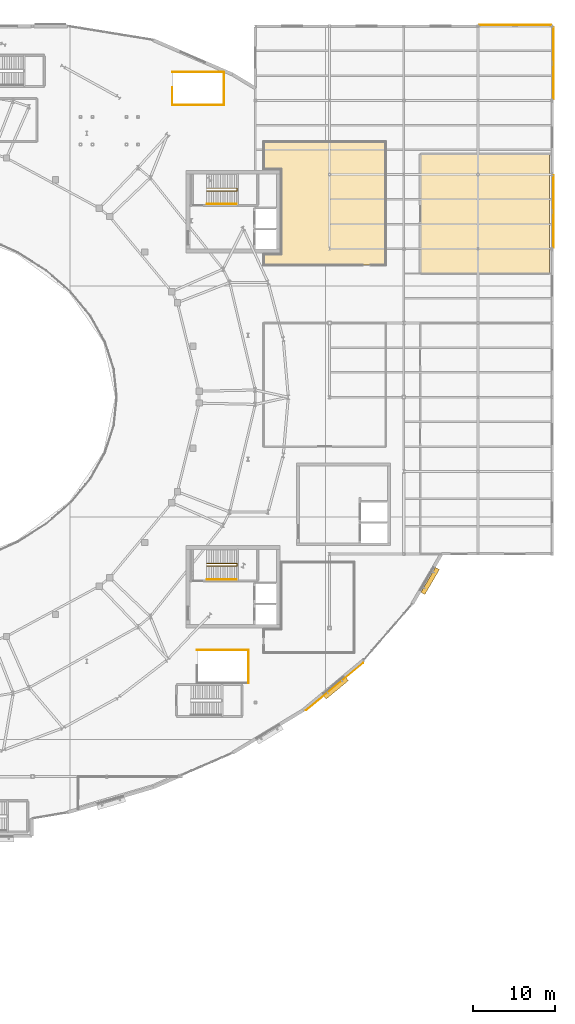
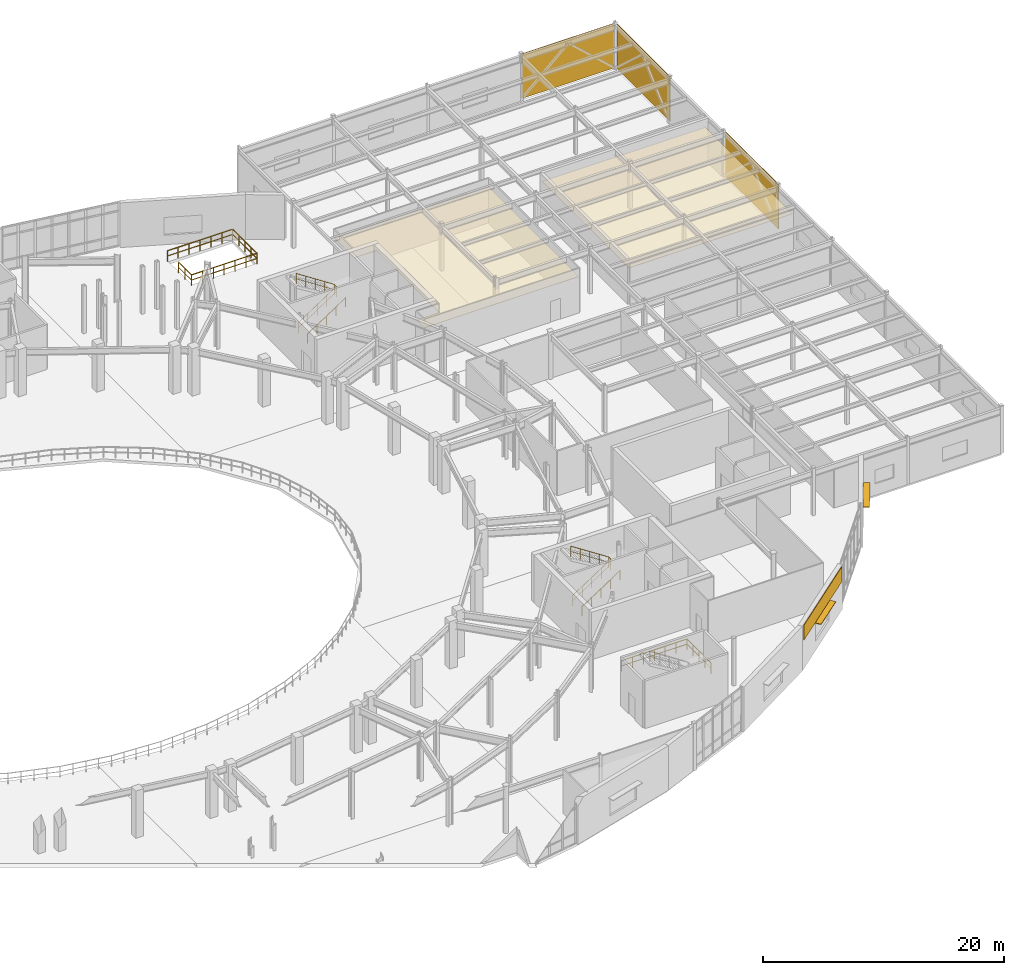
# One storey, part 86 of 86: 10 railings, 6 coverings, 2 shading devices.
"""IFC4 building model written with IfcOpenShell, lengths in metres."""

from ifc_helpers import new_model, si_unit, direction, frame, origin, origin_2d, place, context, subcontext, project, spatial, polyline, rectangle, circle, outline, extrude, material, layer, layer_set, type_object, element, save


model = new_model("IFC4")

# Units and contexts
model_context = context("Model", 3, precision=1e-05, world=origin(), true_north=direction((0.0, 1.0)))
body_context = subcontext(model_context, "Body", "Model", "MODEL_VIEW")
ifc_project = project(units=[si_unit("LENGTHUNIT", "METRE"), si_unit("AREAUNIT", "SQUARE_METRE"), si_unit("VOLUMEUNIT", "CUBIC_METRE"), si_unit("PLANEANGLEUNIT", "RADIAN"), si_unit("MASSUNIT", "GRAM", prefix="KILO")], contexts=[model_context])

# Site, building, storey
site_placement = place(None, origin())
site = spatial("IfcSite", under=ifc_project, at=site_placement, CompositionType="ELEMENT")
building_placement = place(site_placement, origin())
building = spatial("IfcBuilding", under=site, at=building_placement, Name="Glasvene Arena", CompositionType="ELEMENT")
storey_placement = place(building_placement, frame((0.0, 0.0, 5.39990234375)))
storey = spatial("IfcBuildingStorey", under=building, at=storey_placement, Name="L01", CompositionType="ELEMENT", Elevation=5.39990234375)

# Coverings
ifc_material_1 = material(Name="Perforated acoustic mineral ceiling tile")
ifc_layer_1 = layer(ifc_material_1, 0.0400390625)
ifc_layer_set_1 = layer_set([ifc_layer_1], Name="Perforated acoustic mineral ceiling tile")
covering_type_1 = type_object("IfcCoveringType", Name="COV-CEIL-AC", PredefinedType="CEILING", material=ifc_layer_set_1)
covering_1_placement = place(storey_placement, frame((142.677978515625, 95.393798828125, 3.580078125)))
element("IfcCovering", 1, at=covering_1_placement, inside=storey, type_object=covering_type_1, Name="Acoustic suspended ceiling Touring Production Offices", PredefinedType="CEILING", context=body_context, shape_type="SweptSolid", body=[
    extrude(outline(polyline([(-3.657958984375, 8.586181640625), (11.10205078125, 8.586181640625), (11.10205078125, -6.373779296875), (-3.657958984375, -6.373779296875), (-3.657958984375, -5.063720703125), (-1.528076171875, -5.063720703125), (-1.513916015625, -5.057861328125), (-1.508056640625, -5.043701171875), (-1.508056640625, 5.256103515625), (-1.515380859375, 5.271728515625), (-3.657958984375, 5.276123046875), (-3.657958984375, 8.586181640625)])), origin(), (0.0, 0.0, 1.0), 0.0400390625),
])
covering_2_placement = place(storey_placement, frame((165.840087890625, 95.25, 3.580078125)))
element("IfcCovering", 2, at=covering_2_placement, inside=storey, type_object=covering_type_1, Name="Acoustic suspended ceiling Broadcast Cabling Patch Room", PredefinedType="CEILING", context=body_context, shape_type="SweptSolid", body=[
    extrude(outline(polyline([(-7.820068359375, -7.22998046875), (-7.820068359375, 7.22998046875), (7.81982421875, 7.22998046875), (7.81982421875, -7.22998046875), (-7.820068359375, -7.22998046875)])), origin(), (0.0, 0.0, 1.0), 0.0400390625),
])
ifc_material_2 = material(Name="Coursed pale Irish limestone", Category="masonry")
ifc_layer_2 = layer(ifc_material_2, 0.050048828125)
ifc_layer_set_2 = layer_set([ifc_layer_2], Name="Coursed pale Irish limestone")
covering_type_2 = type_object("IfcCoveringType", Name="COV-CLAD-LIM", PredefinedType="CLADDING", material=ifc_layer_set_2)
covering_3_placement = place(storey_placement, frame((169.510986328125, 118.139892578125, 0.0), z_axis=(0.0, 0.0, 1.0), x_axis=(1.0, 0.0, 0.0)))
element("IfcCovering", 3, at=covering_3_placement, inside=storey, type_object=covering_type_2, Name="Braced bay architectural cladding screen L01-023", PredefinedType="CLADDING", context=body_context, shape_type="SweptSolid", body=[
    extrude(rectangle(XDim=8.7578125, YDim=0.050048828125, at=origin_2d()), origin(), (0.0, 0.0, 1.0), 4.52001953125),
])
for number, where, z_axis, x_axis, name in (
    (4, (174.139892578125, 113.510009765625, 0.0), (0.0, 0.0, 1.0), (0.0, -1.0, 0.0), "Braced bay architectural cladding screen L01-024"),
    (5, (174.139892578125, 95.510009765625, 0.0), (0.0, 0.0, 1.0), (0.0, -1.0, 0.0), "Braced bay architectural cladding screen L01-026"),
):
    element("IfcCovering", number, at=place(storey_placement, frame(where, z_axis=z_axis, x_axis=x_axis)), inside=storey, type_object=covering_type_2, Name=name, PredefinedType="CLADDING", context=body_context, shape_type="SweptSolid", body=[
        extrude(rectangle(XDim=8.755859375, YDim=0.050048828125, at=origin_2d()), origin(), (0.0, 0.0, 1.0), 4.52001953125),
    ])
covering_4_placement = place(storey_placement, frame((147.607177734375, 37.907958984375, 2.9501953125), z_axis=(0.0, 0.0, 1.0), x_axis=(-0.769956692089, -0.638096146601, 0.0)))
element("IfcCovering", 6, at=covering_4_placement, inside=storey, type_object=covering_type_2, Name="Irish limestone spandrel cladding EW-L01-0091", PredefinedType="CLADDING", context=body_context, shape_type="SweptSolid", body=[
    extrude(rectangle(XDim=9.009521484375, YDim=0.050048828125, at=origin_2d()), origin(), (0.0, 0.0, 1.0), 1.52001953125),
])

# Railings
ifc_material_3 = material(Name="Brushed stainless steel", Category="steel")
railing_type_1 = type_object("IfcRailingType", Name="RL-GUARD-1100", PredefinedType="GUARDRAIL", material=ifc_material_3)
railing_1_placement = place(storey_placement, frame((132.10009765625, 98.010009765625, 0.0)))
element("IfcRailing", 7, at=railing_1_placement, inside=storey, type_object=railing_type_1, Name="Stair inner well continuous guardrail ST-02-L01", PredefinedType="GUARDRAIL", context=body_context, shape_type="SweptSolid", body=[
    extrude(circle(Radius=0.02392578125, at=origin_2d()), frame((0.0, 0.0, 1.076171875), z_axis=(0.837590697589, 0.0, 0.546298291515), x_axis=(0.0, 1.0, 0.0)), (0.0, 0.0, 1.0), 4.3935546875),
    extrude(circle(Radius=0.01611328125, at=origin_2d()), frame((0.0, 0.0, 0.550048828125), z_axis=(0.837590697589, 0.0, 0.546298291515), x_axis=(0.0, 1.0, 0.0)), (0.0, 0.0, 1.0), 4.3935546875),
    extrude(circle(Radius=0.02392578125, at=origin_2d()), frame((3.679931640625, 0.0, 3.47607421875), z_axis=(0.0, 1.0, 0.0), x_axis=(-1.0, 0.0, 0.0)), (0.0, 0.0, 1.0), 0.330078125),
    extrude(circle(Radius=0.01611328125, at=origin_2d()), frame((3.679931640625, 0.0, 2.9501953125), z_axis=(0.0, 1.0, 0.0), x_axis=(-1.0, 0.0, 0.0)), (0.0, 0.0, 1.0), 0.330078125),
    extrude(circle(Radius=0.02392578125, at=origin_2d()), frame((3.679931640625, 0.330078125, 3.47607421875), z_axis=(-0.837616124378, 0.0, 0.546259304892), x_axis=(0.0, -1.0, 0.0)), (0.0, 0.0, 1.0), 4.393310546875),
    extrude(circle(Radius=0.01611328125, at=origin_2d()), frame((3.679931640625, 0.330078125, 2.9501953125), z_axis=(-0.837616124378, 0.0, 0.546259304892), x_axis=(0.0, -1.0, 0.0)), (0.0, 0.0, 1.0), 4.393310546875),
    extrude(circle(Radius=0.02099609375, at=origin_2d()), origin(), (0.0, 0.0, 1.0), 1.052001953125),
    extrude(circle(Radius=0.02099609375, at=origin_2d()), frame((0.919921875, 0.0, 0.60009765625)), (0.0, 0.0, 1.0), 1.052001953125),
    extrude(circle(Radius=0.02099609375, at=origin_2d()), frame((1.83984375, 0.0, 1.2001953125)), (0.0, 0.0, 1.0), 1.052001953125),
    extrude(circle(Radius=0.02099609375, at=origin_2d()), frame((2.760009765625, 0.0, 1.800048828125)), (0.0, 0.0, 1.0), 1.052001953125),
    extrude(circle(Radius=0.02099609375, at=origin_2d()), frame((3.679931640625, 0.0, 2.400146484375)), (0.0, 0.0, 1.0), 1.052001953125),
    extrude(circle(Radius=0.02099609375, at=origin_2d()), frame((3.679931640625, 0.330078125, 2.400146484375)), (0.0, 0.0, 1.0), 1.052001953125),
    extrude(circle(Radius=0.02099609375, at=origin_2d()), frame((2.760009765625, 0.330078125, 3.0)), (0.0, 0.0, 1.0), 1.052001953125),
    extrude(circle(Radius=0.02099609375, at=origin_2d()), frame((1.83984375, 0.330078125, 3.60009765625)), (0.0, 0.0, 1.0), 1.052001953125),
    extrude(circle(Radius=0.02099609375, at=origin_2d()), frame((0.919921875, 0.330078125, 4.2001953125)), (0.0, 0.0, 1.0), 1.052001953125),
    extrude(circle(Radius=0.02099609375, at=origin_2d()), frame((0.0, 0.330078125, 4.800048828125)), (0.0, 0.0, 1.0), 1.052001953125),
])
railing_2_placement = place(storey_placement, frame((132.10009765625, 52.510009765625, 0.0)))
element("IfcRailing", 8, at=railing_2_placement, inside=storey, type_object=railing_type_1, Name="Stair inner well continuous guardrail ST-04-L01", PredefinedType="GUARDRAIL", context=body_context, shape_type="SweptSolid", body=[
    extrude(circle(Radius=0.02392578125, at=origin_2d()), frame((0.0, 0.0, 1.076171875), z_axis=(0.837590697589, 0.0, 0.546298291515), x_axis=(0.0, 1.0, 0.0)), (0.0, 0.0, 1.0), 4.3935546875),
    extrude(circle(Radius=0.01611328125, at=origin_2d()), frame((0.0, 0.0, 0.550048828125), z_axis=(0.837590697589, 0.0, 0.546298291515), x_axis=(0.0, 1.0, 0.0)), (0.0, 0.0, 1.0), 4.3935546875),
    extrude(circle(Radius=0.02392578125, at=origin_2d()), frame((3.679931640625, 0.0, 3.47607421875), z_axis=(0.0, 1.0, 0.0), x_axis=(-1.0, 0.0, 0.0)), (0.0, 0.0, 1.0), 0.330078125),
    extrude(circle(Radius=0.01611328125, at=origin_2d()), frame((3.679931640625, 0.0, 2.9501953125), z_axis=(0.0, 1.0, 0.0), x_axis=(-1.0, 0.0, 0.0)), (0.0, 0.0, 1.0), 0.330078125),
    extrude(circle(Radius=0.02392578125, at=origin_2d()), frame((3.679931640625, 0.330078125, 3.47607421875), z_axis=(-0.837616124378, 0.0, 0.546259304892), x_axis=(0.0, -1.0, 0.0)), (0.0, 0.0, 1.0), 4.393310546875),
    extrude(circle(Radius=0.01611328125, at=origin_2d()), frame((3.679931640625, 0.330078125, 2.9501953125), z_axis=(-0.837616124378, 0.0, 0.546259304892), x_axis=(0.0, -1.0, 0.0)), (0.0, 0.0, 1.0), 4.393310546875),
    extrude(circle(Radius=0.02099609375, at=origin_2d()), origin(), (0.0, 0.0, 1.0), 1.052001953125),
    extrude(circle(Radius=0.02099609375, at=origin_2d()), frame((0.919921875, 0.0, 0.60009765625)), (0.0, 0.0, 1.0), 1.052001953125),
    extrude(circle(Radius=0.02099609375, at=origin_2d()), frame((1.83984375, 0.0, 1.2001953125)), (0.0, 0.0, 1.0), 1.052001953125),
    extrude(circle(Radius=0.02099609375, at=origin_2d()), frame((2.760009765625, 0.0, 1.800048828125)), (0.0, 0.0, 1.0), 1.052001953125),
    extrude(circle(Radius=0.02099609375, at=origin_2d()), frame((3.679931640625, 0.0, 2.400146484375)), (0.0, 0.0, 1.0), 1.052001953125),
    extrude(circle(Radius=0.02099609375, at=origin_2d()), frame((3.679931640625, 0.330078125, 2.400146484375)), (0.0, 0.0, 1.0), 1.052001953125),
    extrude(circle(Radius=0.02099609375, at=origin_2d()), frame((2.760009765625, 0.330078125, 3.0)), (0.0, 0.0, 1.0), 1.052001953125),
    extrude(circle(Radius=0.02099609375, at=origin_2d()), frame((1.83984375, 0.330078125, 3.60009765625)), (0.0, 0.0, 1.0), 1.052001953125),
    extrude(circle(Radius=0.02099609375, at=origin_2d()), frame((0.919921875, 0.330078125, 4.2001953125)), (0.0, 0.0, 1.0), 1.052001953125),
    extrude(circle(Radius=0.02099609375, at=origin_2d()), frame((0.0, 0.330078125, 4.800048828125)), (0.0, 0.0, 1.0), 1.052001953125),
])
railing_3_placement = place(storey_placement, frame((137.179931640625, 38.320068359375, 0.0)))
element("IfcRailing", 9, at=railing_3_placement, inside=storey, type_object=railing_type_1, Name="Safety guardrail GD-VOM-02-TOP-003", PredefinedType="GUARDRAIL", context=body_context, shape_type="SweptSolid", body=[
    extrude(circle(Radius=0.02392578125, at=origin_2d()), frame((0.0, 0.0, 1.076171875), z_axis=(0.0, 1.0, 0.0), x_axis=(-1.0, 0.0, 0.0)), (0.0, 0.0, 1.0), 4.010009765625),
    extrude(circle(Radius=0.01611328125, at=origin_2d()), frame((0.0, 0.0, 0.550048828125), z_axis=(0.0, 1.0, 0.0), x_axis=(-1.0, 0.0, 0.0)), (0.0, 0.0, 1.0), 4.010009765625),
    extrude(circle(Radius=0.02099609375, at=origin_2d()), origin(), (0.0, 0.0, 1.0), 1.052001953125),
    extrude(circle(Radius=0.02099609375, at=origin_2d()), frame((0.0, 1.00244140625, 0.0)), (0.0, 0.0, 1.0), 1.052001953125),
    extrude(circle(Radius=0.02099609375, at=origin_2d()), frame((0.0, 2.0048828125, 0.0)), (0.0, 0.0, 1.0), 1.052001953125),
    extrude(circle(Radius=0.02099609375, at=origin_2d()), frame((0.0, 3.007568359375, 0.0)), (0.0, 0.0, 1.0), 1.052001953125),
    extrude(circle(Radius=0.02099609375, at=origin_2d()), frame((0.0, 4.010009765625, 0.0)), (0.0, 0.0, 1.0), 1.052001953125),
])
railing_4_placement = place(storey_placement, frame((137.179931640625, 42.330078125, 0.0)))
element("IfcRailing", 10, at=railing_4_placement, inside=storey, type_object=railing_type_1, Name="Safety guardrail GD-VOM-02-TOP-004", PredefinedType="GUARDRAIL", context=body_context, shape_type="SweptSolid", body=[
    extrude(circle(Radius=0.02392578125, at=origin_2d()), frame((0.0, 0.0, 1.076171875), z_axis=(-1.0, 0.0, 0.0), x_axis=(0.0, -1.0, 0.0)), (0.0, 0.0, 1.0), 6.260009765625),
    extrude(circle(Radius=0.01611328125, at=origin_2d()), frame((0.0, 0.0, 0.550048828125), z_axis=(-1.0, 0.0, 0.0), x_axis=(0.0, -1.0, 0.0)), (0.0, 0.0, 1.0), 6.260009765625),
    extrude(circle(Radius=0.02099609375, at=origin_2d()), origin(), (0.0, 0.0, 1.0), 1.052001953125),
    extrude(circle(Radius=0.02099609375, at=origin_2d()), frame((-1.04345703125, 0.0, 0.0)), (0.0, 0.0, 1.0), 1.052001953125),
    extrude(circle(Radius=0.02099609375, at=origin_2d()), frame((-2.086669921875, 0.0, 0.0)), (0.0, 0.0, 1.0), 1.052001953125),
    extrude(circle(Radius=0.02099609375, at=origin_2d()), frame((-3.1298828125, 0.0, 0.0)), (0.0, 0.0, 1.0), 1.052001953125),
    extrude(circle(Radius=0.02099609375, at=origin_2d()), frame((-4.17333984375, 0.0, 0.0)), (0.0, 0.0, 1.0), 1.052001953125),
    extrude(circle(Radius=0.02099609375, at=origin_2d()), frame((-5.216796875, 0.0, 0.0)), (0.0, 0.0, 1.0), 1.052001953125),
    extrude(circle(Radius=0.02099609375, at=origin_2d()), frame((-6.260009765625, 0.0, 0.0)), (0.0, 0.0, 1.0), 1.052001953125),
])
railing_5_placement = place(storey_placement, frame((127.919921875, 110.550048828125, 0.0)))
element("IfcRailing", 11, at=railing_5_placement, inside=storey, type_object=railing_type_1, Name="Safety guardrail GD-VOM-04-TOP-001", PredefinedType="GUARDRAIL", context=body_context, shape_type="SweptSolid", body=[
    extrude(circle(Radius=0.02392578125, at=origin_2d()), frame((0.0, 0.0, 1.076171875), z_axis=(0.0, -1.0, 0.0), x_axis=(1.0, 0.0, 0.0)), (0.0, 0.0, 1.0), 2.130126953125),
    extrude(circle(Radius=0.01611328125, at=origin_2d()), frame((0.0, 0.0, 0.550048828125), z_axis=(0.0, -1.0, 0.0), x_axis=(1.0, 0.0, 0.0)), (0.0, 0.0, 1.0), 2.130126953125),
    extrude(circle(Radius=0.02099609375, at=origin_2d()), origin(), (0.0, 0.0, 1.0), 1.052001953125),
    extrude(circle(Radius=0.02099609375, at=origin_2d()), frame((0.0, -1.06494140625, 0.0)), (0.0, 0.0, 1.0), 1.052001953125),
    extrude(circle(Radius=0.02099609375, at=origin_2d()), frame((0.0, -2.130126953125, 0.0)), (0.0, 0.0, 1.0), 1.052001953125),
])
railing_6_placement = place(storey_placement, frame((127.919921875, 108.419921875, 0.0)))
element("IfcRailing", 12, at=railing_6_placement, inside=storey, type_object=railing_type_1, Name="Safety guardrail GD-VOM-04-TOP-002", PredefinedType="GUARDRAIL", context=body_context, shape_type="SweptSolid", body=[
    extrude(circle(Radius=0.02392578125, at=origin_2d()), frame((0.0, 0.0, 1.076171875), z_axis=(1.0, 0.0, 0.0), x_axis=(0.0, 1.0, 0.0)), (0.0, 0.0, 1.0), 6.260009765625),
    extrude(circle(Radius=0.01611328125, at=origin_2d()), frame((0.0, 0.0, 0.550048828125), z_axis=(1.0, 0.0, 0.0), x_axis=(0.0, 1.0, 0.0)), (0.0, 0.0, 1.0), 6.260009765625),
    extrude(circle(Radius=0.02099609375, at=origin_2d()), origin(), (0.0, 0.0, 1.0), 1.052001953125),
    extrude(circle(Radius=0.02099609375, at=origin_2d()), frame((1.04345703125, 0.0, 0.0)), (0.0, 0.0, 1.0), 1.052001953125),
    extrude(circle(Radius=0.02099609375, at=origin_2d()), frame((2.086669921875, 0.0, 0.0)), (0.0, 0.0, 1.0), 1.052001953125),
    extrude(circle(Radius=0.02099609375, at=origin_2d()), frame((3.1298828125, 0.0, 0.0)), (0.0, 0.0, 1.0), 1.052001953125),
    extrude(circle(Radius=0.02099609375, at=origin_2d()), frame((4.17333984375, 0.0, 0.0)), (0.0, 0.0, 1.0), 1.052001953125),
    extrude(circle(Radius=0.02099609375, at=origin_2d()), frame((5.216796875, 0.0, 0.0)), (0.0, 0.0, 1.0), 1.052001953125),
    extrude(circle(Radius=0.02099609375, at=origin_2d()), frame((6.260009765625, 0.0, 0.0)), (0.0, 0.0, 1.0), 1.052001953125),
])
railing_7_placement = place(storey_placement, frame((134.179931640625, 108.419921875, 0.0)))
element("IfcRailing", 13, at=railing_7_placement, inside=storey, type_object=railing_type_1, Name="Safety guardrail GD-VOM-04-TOP-003", PredefinedType="GUARDRAIL", context=body_context, shape_type="SweptSolid", body=[
    extrude(circle(Radius=0.02392578125, at=origin_2d()), frame((0.0, 0.0, 1.076171875), z_axis=(0.0, 1.0, 0.0), x_axis=(-1.0, 0.0, 0.0)), (0.0, 0.0, 1.0), 4.010009765625),
    extrude(circle(Radius=0.01611328125, at=origin_2d()), frame((0.0, 0.0, 0.550048828125), z_axis=(0.0, 1.0, 0.0), x_axis=(-1.0, 0.0, 0.0)), (0.0, 0.0, 1.0), 4.010009765625),
    extrude(circle(Radius=0.02099609375, at=origin_2d()), origin(), (0.0, 0.0, 1.0), 1.052001953125),
    extrude(circle(Radius=0.02099609375, at=origin_2d()), frame((0.0, 1.00244140625, 0.0)), (0.0, 0.0, 1.0), 1.052001953125),
    extrude(circle(Radius=0.02099609375, at=origin_2d()), frame((0.0, 2.0048828125, 0.0)), (0.0, 0.0, 1.0), 1.052001953125),
    extrude(circle(Radius=0.02099609375, at=origin_2d()), frame((0.0, 3.007568359375, 0.0)), (0.0, 0.0, 1.0), 1.052001953125),
    extrude(circle(Radius=0.02099609375, at=origin_2d()), frame((0.0, 4.010009765625, 0.0)), (0.0, 0.0, 1.0), 1.052001953125),
])
railing_8_placement = place(storey_placement, frame((134.179931640625, 112.429931640625, 0.0)))
element("IfcRailing", 14, at=railing_8_placement, inside=storey, type_object=railing_type_1, Name="Safety guardrail GD-VOM-04-TOP-004", PredefinedType="GUARDRAIL", context=body_context, shape_type="SweptSolid", body=[
    extrude(circle(Radius=0.02392578125, at=origin_2d()), frame((0.0, 0.0, 1.076171875), z_axis=(-1.0, 0.0, 0.0), x_axis=(0.0, -1.0, 0.0)), (0.0, 0.0, 1.0), 6.260009765625),
    extrude(circle(Radius=0.01611328125, at=origin_2d()), frame((0.0, 0.0, 0.550048828125), z_axis=(-1.0, 0.0, 0.0), x_axis=(0.0, -1.0, 0.0)), (0.0, 0.0, 1.0), 6.260009765625),
    extrude(circle(Radius=0.02099609375, at=origin_2d()), origin(), (0.0, 0.0, 1.0), 1.052001953125),
    extrude(circle(Radius=0.02099609375, at=origin_2d()), frame((-1.04345703125, 0.0, 0.0)), (0.0, 0.0, 1.0), 1.052001953125),
    extrude(circle(Radius=0.02099609375, at=origin_2d()), frame((-2.086669921875, 0.0, 0.0)), (0.0, 0.0, 1.0), 1.052001953125),
    extrude(circle(Radius=0.02099609375, at=origin_2d()), frame((-3.1298828125, 0.0, 0.0)), (0.0, 0.0, 1.0), 1.052001953125),
    extrude(circle(Radius=0.02099609375, at=origin_2d()), frame((-4.17333984375, 0.0, 0.0)), (0.0, 0.0, 1.0), 1.052001953125),
    extrude(circle(Radius=0.02099609375, at=origin_2d()), frame((-5.216796875, 0.0, 0.0)), (0.0, 0.0, 1.0), 1.052001953125),
    extrude(circle(Radius=0.02099609375, at=origin_2d()), frame((-6.260009765625, 0.0, 0.0)), (0.0, 0.0, 1.0), 1.052001953125),
])
railing_type_2 = type_object("IfcRailingType", Name="RL-HAND-950", PredefinedType="HANDRAIL", material=ifc_material_3)
for number, where, name in (
    (15, (132.10009765625, 96.409912109375, 0.0), "Stair wall handrail ST-02-L01"),
    (16, (132.10009765625, 50.909912109375, 0.0), "Stair wall handrail ST-04-L01"),
):
    element("IfcRailing", number, at=place(storey_placement, frame(where)), inside=storey, type_object=railing_type_2, Name=name, PredefinedType="HANDRAIL", context=body_context, shape_type="SweptSolid", body=[
        extrude(circle(Radius=0.02392578125, at=origin_2d()), frame((0.0, 0.0, 0.92578125), z_axis=(0.834839479206, 0.0, 0.550493454965), x_axis=(0.0, 1.0, 0.0)), (0.0, 0.0, 1.0), 4.360107421875),
        extrude(circle(Radius=0.02099609375, at=origin_2d()), origin(), (0.0, 0.0, 1.0), 0.90185546875),
        extrude(circle(Radius=0.02099609375, at=origin_2d()), frame((0.909912109375, 0.0, 0.60009765625)), (0.0, 0.0, 1.0), 0.90185546875),
        extrude(circle(Radius=0.02099609375, at=origin_2d()), frame((1.81982421875, 0.0, 1.2001953125)), (0.0, 0.0, 1.0), 0.90185546875),
        extrude(circle(Radius=0.02099609375, at=origin_2d()), frame((2.72998046875, 0.0, 1.800048828125)), (0.0, 0.0, 1.0), 0.90185546875),
        extrude(circle(Radius=0.02099609375, at=origin_2d()), frame((3.639892578125, 0.0, 2.400146484375)), (0.0, 0.0, 1.0), 0.90185546875),
    ])

# Shading devices
ifc_material_4 = material(Name="Warm bronze architectural aluminium", Category="aluminium")
ifc_layer_3 = layer(ifc_material_4, 0.06005859375)
ifc_layer_set_3 = layer_set([ifc_layer_3], Name="Warm bronze architectural aluminium")
shading_device_type = type_object("IfcShadingDeviceType", Name="SHD-BRONZE-FIN", PredefinedType="USERDEFINED", material=ifc_layer_set_3)
for number, where, z_axis, x_axis, name in (
    (17, (159.200927734375, 50.722412109375, 2.820068359375), (0.0, 0.0, 1.0), (-0.50513026462, -0.863043113503, 0.0), "Warm bronze brise-soleil fin BS-018"),
    (18, (147.763427734375, 37.71923828125, 2.820068359375), (0.0, 0.0, 1.0), (-0.769956692089, -0.638096146601, 0.0), "Warm bronze brise-soleil fin BS-019"),
):
    element("IfcShadingDevice", number, at=place(storey_placement, frame(where, z_axis=z_axis, x_axis=x_axis)), inside=storey, type_object=shading_device_type, Name=name, ObjectType="BRISE SOLEIL", PredefinedType="USERDEFINED", context=body_context, shape_type="SweptSolid", body=[
        extrude(rectangle(XDim=3.5, YDim=0.550048828125, at=origin_2d()), origin(), (0.0, 0.0, 1.0), 0.06005859375),
    ])

save(model, "model.ifc")
